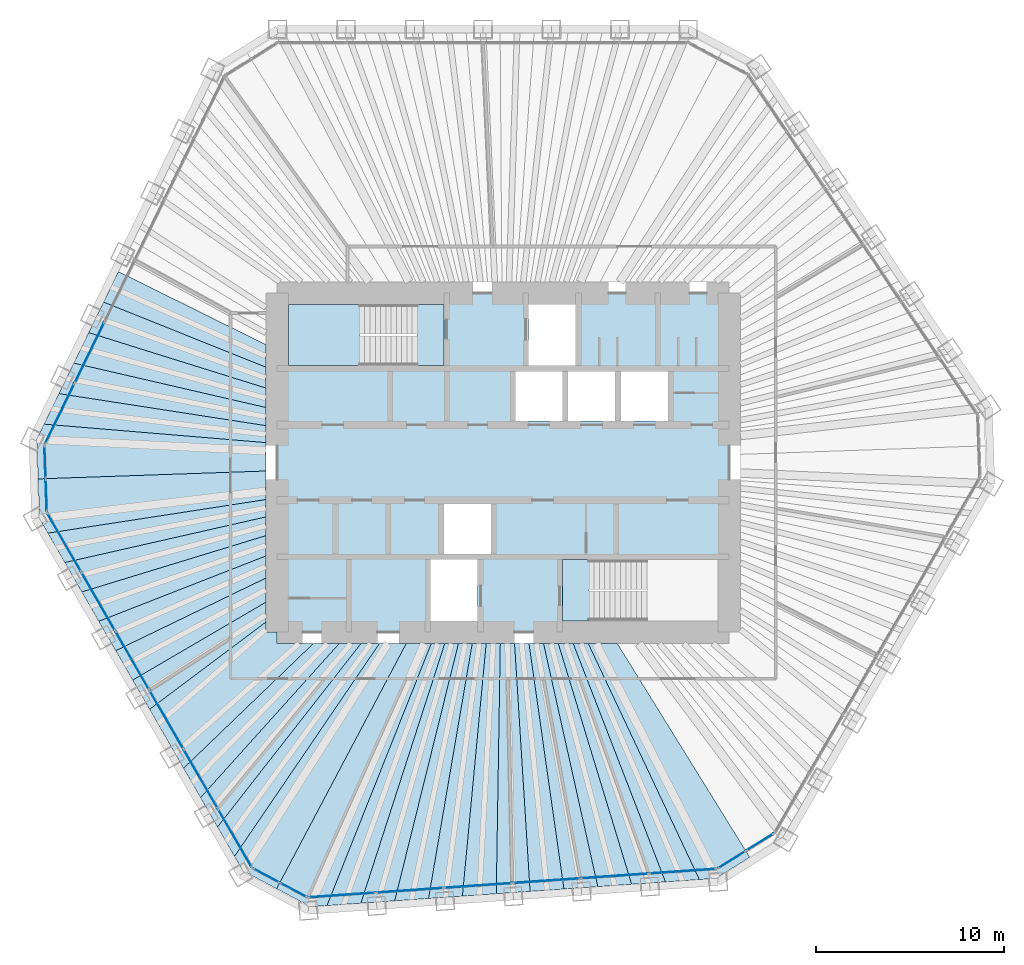
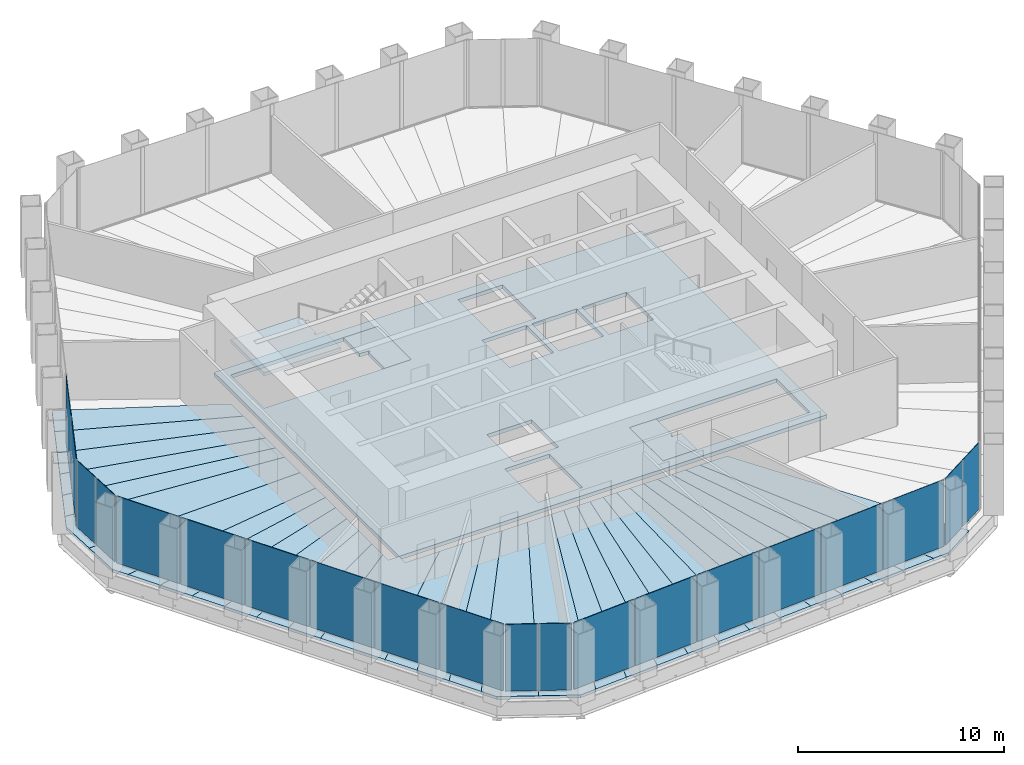
# One storey, part 8 of 13: 35 slabs, 20 plates, 8 elements without a shape of their own.
"""IFC4 building model written with IfcOpenShell, lengths in metres."""

from ifc_helpers import new_model, si_unit, direction, frame, origin, origin_2d, place, context, subcontext, project, spatial, polyline, rectangle, outline, extrude, material, layer, layer_set, type_object, element, aggregate, save


model = new_model("IFC4")

# Units and contexts
model_context = context("Model", 3, precision=1e-05, world=origin(), true_north=direction((0.0, 1.0)))
body_context = subcontext(model_context, "Body", "Model", "MODEL_VIEW")
ifc_project = project(units=[si_unit("LENGTHUNIT", "METRE"), si_unit("AREAUNIT", "SQUARE_METRE"), si_unit("VOLUMEUNIT", "CUBIC_METRE"), si_unit("PLANEANGLEUNIT", "RADIAN"), si_unit("MASSUNIT", "GRAM", prefix="KILO")], contexts=[model_context])

# Site, building, storey
site_placement = place(None, origin())
site = spatial("IfcSite", under=ifc_project, at=site_placement, CompositionType="ELEMENT")
building_placement = place(site_placement, origin())
building = spatial("IfcBuilding", under=site, at=building_placement, Name="Qingtian Harvest Tower", CompositionType="ELEMENT")
storey_placement = place(building_placement, frame((0.0, 0.0, 230.800048828125)))
storey = spatial("IfcBuildingStorey", under=building, at=storey_placement, Name="L50", CompositionType="ELEMENT", Elevation=230.800048828125)

# Slabs
ifc_material_1 = material(Name="Concrete fc' 35 MPa", Category="concrete")
ifc_layer_1 = layer(ifc_material_1, 0.169921875)
ifc_layer_set_1 = layer_set([ifc_layer_1], Name="Composite floor slab FS17 170")
slab_type_1 = type_object("IfcSlabType", Name="Composite floor slab FS17 170", PredefinedType="FLOOR", material=ifc_layer_set_1)
slab_1_placement = place(storey_placement, frame((0.0, 0.0, -0.170166015625)))
element("IfcSlab", 1, at=slab_1_placement, inside=storey, type_object=slab_type_1, Name="Floor slab L50 panel D01", PredefinedType="FLOOR", context=body_context, shape_type="SweptSolid", body=[
    extrude(outline(polyline([(-24.6865234375, -0.862060546875), (-12.60009765625, -0.443115234375), (-12.60009765625, -1.958984375), (-24.17236328125, -3.742431640625), (-24.612548828125, -2.979736328125), (-24.6865234375, -0.862060546875)])), origin(), (0.0, 0.0, 1.0), 0.170166015625),
])
slab_2_placement = place(storey_placement, frame((0.0, 0.0, -0.170166015625)))
element("IfcSlab", 2, at=slab_2_placement, inside=storey, type_object=slab_type_1, Name="Floor slab L50 panel D02", PredefinedType="FLOOR", context=body_context, shape_type="SweptSolid", body=[
    extrude(outline(polyline([(-12.60009765625, -2.880126953125), (-23.271484375, -5.302490234375), (-24.17236328125, -3.742431640625), (-12.60009765625, -1.958984375), (-12.60009765625, -2.880126953125)])), origin(), (0.0, 0.0, 1.0), 0.170166015625),
])
slab_3_placement = place(storey_placement, frame((0.0, 0.0, -0.170166015625)))
element("IfcSlab", 3, at=slab_3_placement, inside=storey, type_object=slab_type_1, Name="Floor slab L50 panel D03", PredefinedType="FLOOR", context=body_context, shape_type="SweptSolid", body=[
    extrude(outline(polyline([(-12.60009765625, -3.87548828125), (-22.370849609375, -6.862548828125), (-23.271484375, -5.302490234375), (-12.60009765625, -2.880126953125), (-12.60009765625, -3.87548828125)])), origin(), (0.0, 0.0, 1.0), 0.170166015625),
])
slab_4_placement = place(storey_placement, frame((0.0, 0.0, -0.170166015625)))
element("IfcSlab", 4, at=slab_4_placement, inside=storey, type_object=slab_type_1, Name="Floor slab L50 panel D04", PredefinedType="FLOOR", context=body_context, shape_type="SweptSolid", body=[
    extrude(outline(polyline([(-12.60009765625, -4.95458984375), (-21.47021484375, -8.422607421875), (-22.370849609375, -6.862548828125), (-12.60009765625, -3.87548828125), (-12.60009765625, -4.95458984375)])), origin(), (0.0, 0.0, 1.0), 0.170166015625),
])
slab_5_placement = place(storey_placement, frame((0.0, 0.0, -0.170166015625)))
element("IfcSlab", 5, at=slab_5_placement, inside=storey, type_object=slab_type_1, Name="Floor slab L50 panel D05", PredefinedType="FLOOR", context=body_context, shape_type="SweptSolid", body=[
    extrude(outline(polyline([(-12.60009765625, -6.128173828125), (-20.569580078125, -9.982666015625), (-21.47021484375, -8.422607421875), (-12.60009765625, -4.95458984375), (-12.60009765625, -6.128173828125)])), origin(), (0.0, 0.0, 1.0), 0.170166015625),
])
slab_6_placement = place(storey_placement, frame((0.0, 0.0, -0.170166015625)))
element("IfcSlab", 6, at=slab_6_placement, inside=storey, type_object=slab_type_1, Name="Floor slab L50 panel D06", PredefinedType="FLOOR", context=body_context, shape_type="SweptSolid", body=[
    extrude(outline(polyline([(-12.60009765625, -7.409423828125), (-19.668701171875, -11.542724609375), (-20.569580078125, -9.982666015625), (-12.60009765625, -6.128173828125), (-12.60009765625, -7.409423828125)])), origin(), (0.0, 0.0, 1.0), 0.170166015625),
])
slab_7_placement = place(storey_placement, frame((0.0, 0.0, -0.170166015625)))
element("IfcSlab", 7, at=slab_7_placement, inside=storey, type_object=slab_type_1, Name="Floor slab L50 panel D07", PredefinedType="FLOOR", context=body_context, shape_type="SweptSolid", body=[
    extrude(outline(polyline([(-12.60009765625, -8.46435546875), (-18.771728515625, -13.0966796875), (-19.668701171875, -11.542724609375), (-12.60009765625, -7.409423828125), (-12.60009765625, -8.46435546875)])), origin(), (0.0, 0.0, 1.0), 0.170166015625),
])
slab_8_placement = place(storey_placement, frame((0.0, 0.0, -0.170166015625)))
element("IfcSlab", 8, at=slab_8_placement, inside=storey, type_object=slab_type_1, Name="Floor slab L50 panel D09", PredefinedType="FLOOR", context=body_context, shape_type="SweptSolid", body=[
    extrude(outline(polyline([(-16.967041015625, -16.22216796875), (-18.771728515625, -13.0966796875), (-12.60009765625, -8.46435546875), (-12.60009765625, -9.0), (-12.0, -9.0), (-12.0, -9.60009765625), (-10.07666015625, -9.60009765625), (-16.967041015625, -16.22216796875)])), origin(), (0.0, 0.0, 1.0), 0.170166015625),
])
slab_9_placement = place(storey_placement, frame((0.0, 0.0, -0.170166015625)))
element("IfcSlab", 9, at=slab_9_placement, inside=storey, type_object=slab_type_1, Name="Floor slab L50 panel D10", PredefinedType="FLOOR", context=body_context, shape_type="SweptSolid", body=[
    extrude(outline(polyline([(-8.700927734375, -9.60009765625), (-16.06640625, -17.7822265625), (-16.967041015625, -16.22216796875), (-10.07666015625, -9.60009765625), (-8.700927734375, -9.60009765625)])), origin(), (0.0, 0.0, 1.0), 0.170166015625),
])
slab_10_placement = place(storey_placement, frame((0.0, 0.0, -0.170166015625)))
element("IfcSlab", 10, at=slab_10_placement, inside=storey, type_object=slab_type_1, Name="Floor slab L50 panel D11", PredefinedType="FLOOR", context=body_context, shape_type="SweptSolid", body=[
    extrude(outline(polyline([(-7.548095703125, -9.60009765625), (-15.16552734375, -19.34228515625), (-16.06640625, -17.7822265625), (-8.700927734375, -9.60009765625), (-7.548095703125, -9.60009765625)])), origin(), (0.0, 0.0, 1.0), 0.170166015625),
])
slab_11_placement = place(storey_placement, frame((0.0, 0.0, -0.170166015625)))
element("IfcSlab", 11, at=slab_11_placement, inside=storey, type_object=slab_type_1, Name="Floor slab L50 panel D12", PredefinedType="FLOOR", context=body_context, shape_type="SweptSolid", body=[
    extrude(outline(polyline([(-6.568359375, -9.60009765625), (-14.264892578125, -20.90234375), (-15.16552734375, -19.34228515625), (-7.548095703125, -9.60009765625), (-6.568359375, -9.60009765625)])), origin(), (0.0, 0.0, 1.0), 0.170166015625),
])
slab_12_placement = place(storey_placement, frame((0.0, 0.0, -0.170166015625)))
element("IfcSlab", 12, at=slab_12_placement, inside=storey, type_object=slab_type_1, Name="Floor slab L50 panel D13", PredefinedType="FLOOR", context=body_context, shape_type="SweptSolid", body=[
    extrude(outline(polyline([(-6.568359375, -9.60009765625), (-5.14501953125, -9.60009765625), (-12.028076171875, -22.620361328125), (-13.82470703125, -21.6650390625), (-14.264892578125, -20.90234375), (-6.568359375, -9.60009765625)])), origin(), (0.0, 0.0, 1.0), 0.170166015625),
])
slab_13_placement = place(storey_placement, frame((0.0, 0.0, -0.170166015625)))
element("IfcSlab", 13, at=slab_13_placement, inside=storey, type_object=slab_type_1, Name="Floor slab L50 panel D14", PredefinedType="FLOOR", context=body_context, shape_type="SweptSolid", body=[
    extrude(outline(polyline([(-5.14501953125, -9.60009765625), (-3.817138671875, -9.60009765625), (-9.352294921875, -23.5146484375), (-10.23046875, -23.576171875), (-12.028076171875, -22.620361328125), (-5.14501953125, -9.60009765625)])), origin(), (0.0, 0.0, 1.0), 0.170166015625),
])
slab_14_placement = place(storey_placement, frame((0.0, 0.0, -0.170166015625)))
element("IfcSlab", 14, at=slab_14_placement, inside=storey, type_object=slab_type_1, Name="Floor slab L50 panel D15", PredefinedType="FLOOR", context=body_context, shape_type="SweptSolid", body=[
    extrude(outline(polyline([(-3.10009765625, -9.60009765625), (-7.55517578125, -23.388916015625), (-9.352294921875, -23.5146484375), (-3.817138671875, -9.60009765625), (-3.10009765625, -9.60009765625)])), origin(), (0.0, 0.0, 1.0), 0.170166015625),
])
slab_15_placement = place(storey_placement, frame((0.0, 0.0, -0.170166015625)))
element("IfcSlab", 15, at=slab_15_placement, inside=storey, type_object=slab_type_1, Name="Floor slab L50 panel D16", PredefinedType="FLOOR", context=body_context, shape_type="SweptSolid", body=[
    extrude(outline(polyline([(-2.375244140625, -9.60009765625), (-5.75830078125, -23.263427734375), (-7.55517578125, -23.388916015625), (-3.10009765625, -9.60009765625), (-2.375244140625, -9.60009765625)])), origin(), (0.0, 0.0, 1.0), 0.170166015625),
])
slab_16_placement = place(storey_placement, frame((0.0, 0.0, -0.170166015625)))
element("IfcSlab", 16, at=slab_16_placement, inside=storey, type_object=slab_type_1, Name="Floor slab L50 panel D17", PredefinedType="FLOOR", context=body_context, shape_type="SweptSolid", body=[
    extrude(outline(polyline([(-1.642578125, -9.60009765625), (-3.96142578125, -23.1376953125), (-5.75830078125, -23.263427734375), (-2.375244140625, -9.60009765625), (-1.642578125, -9.60009765625)])), origin(), (0.0, 0.0, 1.0), 0.170166015625),
])
slab_17_placement = place(storey_placement, frame((0.0, 0.0, -0.170166015625)))
element("IfcSlab", 17, at=slab_17_placement, inside=storey, type_object=slab_type_1, Name="Floor slab L50 panel D18", PredefinedType="FLOOR", context=body_context, shape_type="SweptSolid", body=[
    extrude(outline(polyline([(-0.90185546875, -9.60009765625), (-2.164306640625, -23.011962890625), (-3.96142578125, -23.1376953125), (-1.642578125, -9.60009765625), (-0.90185546875, -9.60009765625)])), origin(), (0.0, 0.0, 1.0), 0.170166015625),
])
slab_18_placement = place(storey_placement, frame((0.0, 0.0, -0.170166015625)))
element("IfcSlab", 18, at=slab_18_placement, inside=storey, type_object=slab_type_1, Name="Floor slab L50 panel D19", PredefinedType="FLOOR", context=body_context, shape_type="SweptSolid", body=[
    extrude(outline(polyline([(-0.153076171875, -9.60009765625), (-0.367431640625, -22.886474609375), (-2.164306640625, -23.011962890625), (-0.90185546875, -9.60009765625), (-0.153076171875, -9.60009765625)])), origin(), (0.0, 0.0, 1.0), 0.170166015625),
])
slab_19_placement = place(storey_placement, frame((0.0, 0.0, -0.170166015625)))
element("IfcSlab", 19, at=slab_19_placement, inside=storey, type_object=slab_type_1, Name="Floor slab L50 panel D20", PredefinedType="FLOOR", context=body_context, shape_type="SweptSolid", body=[
    extrude(outline(polyline([(0.60400390625, -9.60009765625), (1.4296875, -22.7607421875), (-0.367431640625, -22.886474609375), (-0.153076171875, -9.60009765625), (0.60400390625, -9.60009765625)])), origin(), (0.0, 0.0, 1.0), 0.170166015625),
])
slab_20_placement = place(storey_placement, frame((0.0, 0.0, -0.170166015625)))
element("IfcSlab", 20, at=slab_20_placement, inside=storey, type_object=slab_type_1, Name="Floor slab L50 panel D21", PredefinedType="FLOOR", context=body_context, shape_type="SweptSolid", body=[
    extrude(outline(polyline([(1.36962890625, -9.60009765625), (3.2265625, -22.635009765625), (1.4296875, -22.7607421875), (0.60400390625, -9.60009765625), (1.36962890625, -9.60009765625)])), origin(), (0.0, 0.0, 1.0), 0.170166015625),
])
slab_21_placement = place(storey_placement, frame((0.0, 0.0, -0.170166015625)))
element("IfcSlab", 21, at=slab_21_placement, inside=storey, type_object=slab_type_1, Name="Floor slab L50 panel D22", PredefinedType="FLOOR", context=body_context, shape_type="SweptSolid", body=[
    extrude(outline(polyline([(2.1435546875, -9.60009765625), (5.023681640625, -22.509521484375), (3.2265625, -22.635009765625), (1.36962890625, -9.60009765625), (2.1435546875, -9.60009765625)])), origin(), (0.0, 0.0, 1.0), 0.170166015625),
])
slab_22_placement = place(storey_placement, frame((0.0, 0.0, -0.170166015625)))
element("IfcSlab", 22, at=slab_22_placement, inside=storey, type_object=slab_type_1, Name="Floor slab L50 panel D23", PredefinedType="FLOOR", context=body_context, shape_type="SweptSolid", body=[
    extrude(outline(polyline([(2.92626953125, -9.60009765625), (6.820556640625, -22.3837890625), (5.023681640625, -22.509521484375), (2.1435546875, -9.60009765625), (2.92626953125, -9.60009765625)])), origin(), (0.0, 0.0, 1.0), 0.170166015625),
])
slab_23_placement = place(storey_placement, frame((0.0, 0.0, -0.170166015625)))
element("IfcSlab", 23, at=slab_23_placement, inside=storey, type_object=slab_type_1, Name="Floor slab L50 panel D24", PredefinedType="FLOOR", context=body_context, shape_type="SweptSolid", body=[
    extrude(outline(polyline([(3.718017578125, -9.60009765625), (8.61767578125, -22.258056640625), (6.820556640625, -22.3837890625), (2.92626953125, -9.60009765625), (3.718017578125, -9.60009765625)])), origin(), (0.0, 0.0, 1.0), 0.170166015625),
])
slab_24_placement = place(storey_placement, frame((0.0, 0.0, -0.170166015625)))
element("IfcSlab", 24, at=slab_24_placement, inside=storey, type_object=slab_type_1, Name="Floor slab L50 panel D25", PredefinedType="FLOOR", context=body_context, shape_type="SweptSolid", body=[
    extrude(outline(polyline([(4.5185546875, -9.60009765625), (10.41455078125, -22.13232421875), (8.61767578125, -22.258056640625), (3.718017578125, -9.60009765625), (4.5185546875, -9.60009765625)])), origin(), (0.0, 0.0, 1.0), 0.170166015625),
])
slab_25_placement = place(storey_placement, frame((0.0, 0.0, -0.170166015625)))
element("IfcSlab", 25, at=slab_25_placement, inside=storey, type_object=slab_type_1, Name="Floor slab L50 panel D26", PredefinedType="FLOOR", context=body_context, shape_type="SweptSolid", body=[
    extrude(outline(polyline([(4.5185546875, -9.60009765625), (6.059326171875, -9.60009765625), (13.090576171875, -20.94775390625), (11.292724609375, -22.071044921875), (10.41455078125, -22.13232421875), (4.5185546875, -9.60009765625)])), origin(), (0.0, 0.0, 1.0), 0.170166015625),
])
slab_26_placement = place(storey_placement, frame((0.0, 0.0, -0.170166015625)))
element("IfcSlab", 26, at=slab_26_placement, inside=storey, type_object=slab_type_1, Name="Floor slab L50 panel D73", PredefinedType="FLOOR", context=body_context, shape_type="SweptSolid", body=[
    extrude(outline(polyline([(-12.60009765625, 5.072509765625), (-21.2158203125, 8.5234375), (-20.426025390625, 10.142578125), (-12.60009765625, 6.268310546875), (-12.60009765625, 5.072509765625)])), origin(), (0.0, 0.0, 1.0), 0.170166015625),
])
slab_27_placement = place(storey_placement, frame((0.0, 0.0, -0.170166015625)))
element("IfcSlab", 27, at=slab_27_placement, inside=storey, type_object=slab_type_1, Name="Floor slab L50 panel D74", PredefinedType="FLOOR", context=body_context, shape_type="SweptSolid", body=[
    extrude(outline(polyline([(-12.60009765625, 3.962890625), (-22.00537109375, 6.904296875), (-21.2158203125, 8.5234375), (-12.60009765625, 5.072509765625), (-12.60009765625, 3.962890625)])), origin(), (0.0, 0.0, 1.0), 0.170166015625),
])
slab_28_placement = place(storey_placement, frame((0.0, 0.0, -0.170166015625)))
element("IfcSlab", 28, at=slab_28_placement, inside=storey, type_object=slab_type_1, Name="Floor slab L50 panel D75", PredefinedType="FLOOR", context=body_context, shape_type="SweptSolid", body=[
    extrude(outline(polyline([(-12.60009765625, 2.929931640625), (-22.795166015625, 5.28515625), (-22.00537109375, 6.904296875), (-12.60009765625, 3.962890625), (-12.60009765625, 2.929931640625)])), origin(), (0.0, 0.0, 1.0), 0.170166015625),
])
slab_29_placement = place(storey_placement, frame((0.0, 0.0, -0.170166015625)))
element("IfcSlab", 29, at=slab_29_placement, inside=storey, type_object=slab_type_1, Name="Floor slab L50 panel D76", PredefinedType="FLOOR", context=body_context, shape_type="SweptSolid", body=[
    extrude(outline(polyline([(-12.60009765625, 1.96630859375), (-23.584716796875, 3.666259765625), (-22.795166015625, 5.28515625), (-12.60009765625, 2.929931640625), (-12.60009765625, 1.96630859375)])), origin(), (0.0, 0.0, 1.0), 0.170166015625),
])
slab_30_placement = place(storey_placement, frame((0.0, 0.0, -0.170166015625)))
element("IfcSlab", 30, at=slab_30_placement, inside=storey, type_object=slab_type_1, Name="Floor slab L50 panel D77", PredefinedType="FLOOR", context=body_context, shape_type="SweptSolid", body=[
    extrude(outline(polyline([(-12.60009765625, 1.065185546875), (-24.37451171875, 2.047119140625), (-23.584716796875, 3.666259765625), (-12.60009765625, 1.96630859375), (-12.60009765625, 1.065185546875)])), origin(), (0.0, 0.0, 1.0), 0.170166015625),
])
slab_31_placement = place(storey_placement, frame((0.0, 0.0, -0.170166015625)))
element("IfcSlab", 31, at=slab_31_placement, inside=storey, type_object=slab_type_1, Name="Floor slab L50 panel D78", PredefinedType="FLOOR", context=body_context, shape_type="SweptSolid", body=[
    extrude(outline(polyline([(-12.60009765625, 1.065185546875), (-12.60009765625, -0.443115234375), (-24.6865234375, -0.862060546875), (-24.760498046875, 1.255615234375), (-24.37451171875, 2.047119140625), (-12.60009765625, 1.065185546875)])), origin(), (0.0, 0.0, 1.0), 0.170166015625),
])
ifc_material_2 = material(Name="Concrete fc' 35 MPa", Category="concrete")
ifc_layer_2 = layer(ifc_material_2, 0.219970703125)
ifc_layer_set_2 = layer_set([ifc_layer_2], Name="Core floor slab CS22 220")
slab_type_2 = type_object("IfcSlabType", Name="Core floor slab CS22 220", PredefinedType="FLOOR", material=ifc_layer_set_2)
slab_32_placement = place(storey_placement, frame((0.0, 0.0, -0.219970703125)))
element("IfcSlab", 32, at=slab_32_placement, inside=storey, type_object=slab_type_2, Name="Core floor slab L50", PredefinedType="FLOOR", context=body_context, shape_type="SweptSolid", body=[
    extrude(outline(polyline([(-12.0, -9.0), (12.0, -9.0), (12.0, 9.0), (-12.0, 9.0), (-12.0, -9.0)]), holes=[polyline([(-11.39990234375, 5.14990234375), (-3.14990234375, 5.14990234375), (-3.14990234375, 8.39990234375), (-11.39990234375, 8.39990234375), (-11.39990234375, 5.14990234375)]), polyline([(3.14990234375, -8.39990234375), (11.39990234375, -8.39990234375), (11.39990234375, -5.14990234375), (3.14990234375, -5.14990234375), (3.14990234375, -8.39990234375)]), polyline([(1.35009765625, 5.14990234375), (3.85009765625, 5.14990234375), (3.85009765625, 8.39990234375), (1.35009765625, 8.39990234375), (1.35009765625, 5.14990234375)]), polyline([(-3.85009765625, -8.39990234375), (-1.35009765625, -8.39990234375), (-1.35009765625, -5.14990234375), (-3.85009765625, -5.14990234375), (-3.85009765625, -8.39990234375)]), polyline([(0.64990234375, 2.199951171875), (3.14990234375, 2.199951171875), (3.14990234375, 4.85009765625), (0.64990234375, 4.85009765625), (0.64990234375, 2.199951171875)]), polyline([(3.449951171875, 2.199951171875), (5.949951171875, 2.199951171875), (5.949951171875, 4.85009765625), (3.449951171875, 4.85009765625), (3.449951171875, 2.199951171875)]), polyline([(6.25, 2.199951171875), (8.75, 2.199951171875), (8.75, 4.85009765625), (6.25, 4.85009765625), (6.25, 2.199951171875)]), polyline([(-3.14990234375, -4.85009765625), (-0.64990234375, -4.85009765625), (-0.64990234375, -2.199951171875), (-3.14990234375, -2.199951171875), (-3.14990234375, -4.85009765625)])]), origin(), (0.0, 0.0, 1.0), 0.219970703125),
])

# Curtain wall, plates
ifc_material_3 = material(Name="Bronze-anodised aluminium curtain wall", Category="aluminium")
curtain_wall_type = type_object("IfcCurtainWallType", Name="Curtain wall CW4 office", PredefinedType="USERDEFINED", material=ifc_material_3)
curtain_wall_1_placement = place(storey_placement, origin())
curtain_wall_1 = element("IfcCurtainWall", 33, at=curtain_wall_1_placement, inside=storey, type_object=curtain_wall_type, Name="Curtain wall CW4 L50 SEC", ObjectType="RECESSED CURTAIN WALL", PredefinedType="USERDEFINED")
ifc_material_4 = material(Name="Bronze-tinted laminated insulating glass", Category="glass")
ifc_layer_3 = layer(ifc_material_4, 0.030029296875)
ifc_layer_set_3 = layer_set([ifc_layer_3], Name="Glazed panel CWP tinted IGU")
plate_type = type_object("IfcPlateType", Name="Glazed panel CWP tinted IGU", PredefinedType="CURTAIN_PANEL", material=ifc_layer_set_3)
plate_1_placement = place(storey_placement, frame((13.624755859375, -20.1455078125, 0.06494140625), z_axis=(0.0, 0.0, 1.0), x_axis=(-0.848048096156, -0.529919264233, 0.0)))
plate_1 = element("IfcPlate", 34, at=plate_1_placement, type_object=plate_type, Name="CW4 panel 1.1", PredefinedType="CURTAIN_PANEL", context=body_context, shape_type="SweptSolid", body=[
    extrude(rectangle(XDim=1.69287109375, YDim=0.030029296875, at=origin_2d()), origin(), (0.0, 0.0, 1.0), 3.965087890625),
])
plate_2_placement = place(storey_placement, frame((12.134033203125, -21.076904296875, 0.06494140625), z_axis=(0.0, 0.0, 1.0), x_axis=(-0.848048096156, -0.529919264233, 0.0)))
plate_2 = element("IfcPlate", 35, at=plate_2_placement, type_object=plate_type, Name="CW4 panel 2.1", PredefinedType="CURTAIN_PANEL", context=body_context, shape_type="SweptSolid", body=[
    extrude(rectangle(XDim=1.69287109375, YDim=0.030029296875, at=origin_2d()), origin(), (0.0, 0.0, 1.0), 3.965087890625),
])
aggregate(curtain_wall_1, [plate_1, plate_2])

curtain_wall_2_placement = place(storey_placement, origin())
curtain_wall_2 = element("IfcCurtainWall", 36, at=curtain_wall_2_placement, inside=storey, type_object=curtain_wall_type, Name="Curtain wall CW4 L50 S0-5", ObjectType="RECESSED CURTAIN WALL", PredefinedType="USERDEFINED")
plate_3_placement = place(storey_placement, frame((9.532470703125, -21.68798828125, 0.06494140625), z_axis=(0.0, 0.0, 1.0), x_axis=(-0.99756405026, -0.069756473744, 0.0)))
plate_3 = element("IfcPlate", 37, at=plate_3_placement, type_object=plate_type, Name="CW4 panel 1.1", PredefinedType="CURTAIN_PANEL", context=body_context, shape_type="SweptSolid", body=[
    extrude(rectangle(XDim=3.5361328125, YDim=0.030029296875, at=origin_2d()), origin(), (0.0, 0.0, 1.0), 3.965087890625),
])
plate_4_placement = place(storey_placement, frame((5.923828125, -21.940185546875, 0.06494140625), z_axis=(0.0, 0.0, 1.0), x_axis=(-0.99756405026, -0.069756473744, 0.0)))
plate_4 = element("IfcPlate", 38, at=plate_4_placement, type_object=plate_type, Name="CW4 panel 2.1", PredefinedType="CURTAIN_PANEL", context=body_context, shape_type="SweptSolid", body=[
    extrude(rectangle(XDim=3.568603515625, YDim=0.030029296875, at=origin_2d()), origin(), (0.0, 0.0, 1.0), 3.965087890625),
])
plate_5_placement = place(storey_placement, frame((2.299072265625, -22.193603515625, 0.06494140625), z_axis=(0.0, 0.0, 1.0), x_axis=(-0.99756405026, -0.069756473744, 0.0)))
plate_5 = element("IfcPlate", 39, at=plate_5_placement, type_object=plate_type, Name="CW4 panel 3.1", PredefinedType="CURTAIN_PANEL", context=body_context, shape_type="SweptSolid", body=[
    extrude(rectangle(XDim=3.568603515625, YDim=0.030029296875, at=origin_2d()), origin(), (0.0, 0.0, 1.0), 3.965087890625),
])
plate_6_placement = place(storey_placement, frame((-1.325439453125, -22.447021484375, 0.06494140625), z_axis=(0.0, 0.0, 1.0), x_axis=(-0.99756405026, -0.069756473744, 0.0)))
plate_6 = element("IfcPlate", 40, at=plate_6_placement, type_object=plate_type, Name="CW4 panel 4.1", PredefinedType="CURTAIN_PANEL", context=body_context, shape_type="SweptSolid", body=[
    extrude(rectangle(XDim=3.568603515625, YDim=0.030029296875, at=origin_2d()), origin(), (0.0, 0.0, 1.0), 3.965087890625),
])
plate_7_placement = place(storey_placement, frame((-4.9501953125, -22.70068359375, 0.06494140625), z_axis=(0.0, 0.0, 1.0), x_axis=(-0.99756405026, -0.069756473744, 0.0)))
plate_7 = element("IfcPlate", 41, at=plate_7_placement, type_object=plate_type, Name="CW4 panel 5.1", PredefinedType="CURTAIN_PANEL", context=body_context, shape_type="SweptSolid", body=[
    extrude(rectangle(XDim=3.568603515625, YDim=0.030029296875, at=origin_2d()), origin(), (0.0, 0.0, 1.0), 3.965087890625),
])
plate_8_placement = place(storey_placement, frame((-8.55859375, -22.952880859375, 0.06494140625), z_axis=(0.0, 0.0, 1.0), x_axis=(-0.99756405026, -0.069756473744, 0.0)))
plate_8 = element("IfcPlate", 42, at=plate_8_placement, type_object=plate_type, Name="CW4 panel 6.1", PredefinedType="CURTAIN_PANEL", context=body_context, shape_type="SweptSolid", body=[
    extrude(rectangle(XDim=3.5361328125, YDim=0.030029296875, at=origin_2d()), origin(), (0.0, 0.0, 1.0), 3.965087890625),
])
aggregate(curtain_wall_2, [plate_3, plate_4, plate_5, plate_6, plate_7, plate_8])

curtain_wall_3_placement = place(storey_placement, origin())
curtain_wall_3 = element("IfcCurtainWall", 43, at=curtain_wall_3_placement, inside=storey, type_object=curtain_wall_type, Name="Curtain wall CW4 L50 SC", ObjectType="RECESSED CURTAIN WALL", PredefinedType="USERDEFINED")
plate_9_placement = place(storey_placement, frame((-11.136474609375, -22.682373046875, 0.06494140625), z_axis=(0.0, 0.0, 1.0), x_axis=(-0.882947592859, 0.469471562786, 0.0)))
plate_9 = element("IfcPlate", 44, at=plate_9_placement, type_object=plate_type, Name="CW4 panel 1.1", PredefinedType="CURTAIN_PANEL", context=body_context, shape_type="SweptSolid", body=[
    extrude(rectangle(XDim=1.56689453125, YDim=0.030029296875, at=origin_2d()), origin(), (0.0, 0.0, 1.0), 3.965087890625),
])
plate_10_placement = place(storey_placement, frame((-12.5771484375, -21.916259765625, 0.06494140625), z_axis=(0.0, 0.0, 1.0), x_axis=(-0.882947592859, 0.469471562786, 0.0)))
plate_10 = element("IfcPlate", 45, at=plate_10_placement, type_object=plate_type, Name="CW4 panel 2.1", PredefinedType="CURTAIN_PANEL", context=body_context, shape_type="SweptSolid", body=[
    extrude(rectangle(XDim=1.56689453125, YDim=0.030029296875, at=origin_2d()), origin(), (0.0, 0.0, 1.0), 3.965087890625),
])
aggregate(curtain_wall_3, [plate_9, plate_10])

curtain_wall_4_placement = place(storey_placement, origin())
curtain_wall_4 = element("IfcCurtainWall", 46, at=curtain_wall_4_placement, inside=storey, type_object=curtain_wall_type, Name="Curtain wall CW4 L50 SW0-5", ObjectType="RECESSED CURTAIN WALL", PredefinedType="USERDEFINED")
plate_11_placement = place(storey_placement, frame((-14.242919921875, -19.9306640625, 0.06494140625), z_axis=(0.0, 0.0, 1.0), x_axis=(-0.5, 0.866025403784, 0.0)))
plate_11 = element("IfcPlate", 47, at=plate_11_placement, type_object=plate_type, Name="CW4 panel 1.1", PredefinedType="CURTAIN_PANEL", context=body_context, shape_type="SweptSolid", body=[
    extrude(rectangle(XDim=3.5361328125, YDim=0.030029296875, at=origin_2d()), origin(), (0.0, 0.0, 1.0), 3.965087890625),
])
plate_12_placement = place(storey_placement, frame((-16.051513671875, -16.7978515625, 0.06494140625), z_axis=(0.0, 0.0, 1.0), x_axis=(-0.5, 0.866025403784, 0.0)))
plate_12 = element("IfcPlate", 48, at=plate_12_placement, type_object=plate_type, Name="CW4 panel 2.1", PredefinedType="CURTAIN_PANEL", context=body_context, shape_type="SweptSolid", body=[
    extrude(rectangle(XDim=3.568603515625, YDim=0.030029296875, at=origin_2d()), origin(), (0.0, 0.0, 1.0), 3.965087890625),
])
plate_13_placement = place(storey_placement, frame((-17.868408203125, -13.651123046875, 0.06494140625), z_axis=(0.0, 0.0, 1.0), x_axis=(-0.5, 0.866025403784, 0.0)))
plate_13 = element("IfcPlate", 49, at=plate_13_placement, type_object=plate_type, Name="CW4 panel 3.1", PredefinedType="CURTAIN_PANEL", context=body_context, shape_type="SweptSolid", body=[
    extrude(rectangle(XDim=3.568603515625, YDim=0.030029296875, at=origin_2d()), origin(), (0.0, 0.0, 1.0), 3.965087890625),
])
plate_14_placement = place(storey_placement, frame((-19.68505859375, -10.50439453125, 0.06494140625), z_axis=(0.0, 0.0, 1.0), x_axis=(-0.5, 0.866025403784, 0.0)))
plate_14 = element("IfcPlate", 50, at=plate_14_placement, type_object=plate_type, Name="CW4 panel 4.1", PredefinedType="CURTAIN_PANEL", context=body_context, shape_type="SweptSolid", body=[
    extrude(rectangle(XDim=3.568603515625, YDim=0.030029296875, at=origin_2d()), origin(), (0.0, 0.0, 1.0), 3.965087890625),
])
plate_15_placement = place(storey_placement, frame((-21.501953125, -7.357666015625, 0.06494140625), z_axis=(0.0, 0.0, 1.0), x_axis=(-0.5, 0.866025403784, 0.0)))
plate_15 = element("IfcPlate", 51, at=plate_15_placement, type_object=plate_type, Name="CW4 panel 5.1", PredefinedType="CURTAIN_PANEL", context=body_context, shape_type="SweptSolid", body=[
    extrude(rectangle(XDim=3.568603515625, YDim=0.030029296875, at=origin_2d()), origin(), (0.0, 0.0, 1.0), 3.965087890625),
])
plate_16_placement = place(storey_placement, frame((-23.310546875, -4.22509765625, 0.06494140625), z_axis=(0.0, 0.0, 1.0), x_axis=(-0.5, 0.866025403784, 0.0)))
plate_16 = element("IfcPlate", 52, at=plate_16_placement, type_object=plate_type, Name="CW4 panel 6.1", PredefinedType="CURTAIN_PANEL", context=body_context, shape_type="SweptSolid", body=[
    extrude(rectangle(XDim=3.5361328125, YDim=0.030029296875, at=origin_2d()), origin(), (0.0, 0.0, 1.0), 3.965087890625),
])
aggregate(curtain_wall_4, [plate_11, plate_12, plate_13, plate_14, plate_15, plate_16])

curtain_wall_5_placement = place(storey_placement, origin())
curtain_wall_5 = element("IfcCurtainWall", 53, at=curtain_wall_5_placement, inside=storey, type_object=curtain_wall_type, Name="Curtain wall CW4 L50 SWC", ObjectType="RECESSED CURTAIN WALL", PredefinedType="USERDEFINED")
plate_17_placement = place(storey_placement, frame((-24.2587890625, -1.7265625, 0.06494140625), z_axis=(0.0, 0.0, 1.0), x_axis=(-0.034899496703, 0.999390827019, 0.0)))
plate_17 = element("IfcPlate", 54, at=plate_17_placement, type_object=plate_type, Name="CW4 panel 1.1", PredefinedType="CURTAIN_PANEL", context=body_context, shape_type="SweptSolid", body=[
    extrude(rectangle(XDim=1.69287109375, YDim=0.030029296875, at=origin_2d()), origin(), (0.0, 0.0, 1.0), 3.965087890625),
])
plate_18_placement = place(storey_placement, frame((-24.320068359375, 0.0302734375, 0.06494140625), z_axis=(0.0, 0.0, 1.0), x_axis=(-0.034899496703, 0.999390827019, 0.0)))
plate_18 = element("IfcPlate", 55, at=plate_18_placement, type_object=plate_type, Name="CW4 panel 2.1", PredefinedType="CURTAIN_PANEL", context=body_context, shape_type="SweptSolid", body=[
    extrude(rectangle(XDim=1.69287109375, YDim=0.030029296875, at=origin_2d()), origin(), (0.0, 0.0, 1.0), 3.965087890625),
])
aggregate(curtain_wall_5, [plate_17, plate_18])

curtain_wall_6_placement = place(storey_placement, origin())
curtain_wall_6 = element("IfcCurtainWall", 56, at=curtain_wall_6_placement, inside=storey, type_object=curtain_wall_type, Name="Curtain wall CW4 L50 NW0-5", ObjectType="RECESSED CURTAIN WALL", PredefinedType="USERDEFINED")
plate_19_placement = place(storey_placement, frame((-23.54833984375, 2.588623046875, 0.06494140625), z_axis=(0.0, 0.0, 1.0), x_axis=(0.438371146789, 0.898794046299, 0.0)))
plate_19 = element("IfcPlate", 57, at=plate_19_placement, type_object=plate_type, Name="CW4 panel 1.1", PredefinedType="CURTAIN_PANEL", context=body_context, shape_type="SweptSolid", body=[
    extrude(rectangle(XDim=3.5361328125, YDim=0.030029296875, at=origin_2d()), origin(), (0.0, 0.0, 1.0), 3.965087890625),
])
plate_20_placement = place(storey_placement, frame((-21.962646484375, 5.83984375, 0.06494140625), z_axis=(0.0, 0.0, 1.0), x_axis=(0.438371146789, 0.898794046299, 0.0)))
plate_20 = element("IfcPlate", 58, at=plate_20_placement, type_object=plate_type, Name="CW4 panel 2.1", PredefinedType="CURTAIN_PANEL", context=body_context, shape_type="SweptSolid", body=[
    extrude(rectangle(XDim=3.568603515625, YDim=0.030029296875, at=origin_2d()), origin(), (0.0, 0.0, 1.0), 3.965087890625),
])
aggregate(curtain_wall_6, [plate_19, plate_20])

# Stair, slabs
ifc_material_5 = material(Name="Concrete fc' 35 MPa", Category="concrete")
stair_type = type_object("IfcStairType", Name="Special stair ST4 4200", PredefinedType="HALF_TURN_STAIR", material=ifc_material_5)
stair_1_placement = place(storey_placement, origin())
stair_1 = element("IfcStair", 59, at=stair_1_placement, inside=storey, type_object=stair_type, Name="Special stair S1 L50", PredefinedType="HALF_TURN_STAIR")
ifc_material_6 = material(Name="Concrete fc' 35 MPa", Category="concrete")
ifc_layer_4 = layer(ifc_material_6, 0.199951171875)
ifc_layer_set_4 = layer_set([ifc_layer_4], Name="Stair landing SL2 200")
slab_type_3 = type_object("IfcSlabType", Name="Stair landing SL2 200", PredefinedType="LANDING", material=ifc_layer_set_4)
slab_33_placement = place(storey_placement, frame((0.0, 0.0, -0.199951171875)))
slab_33 = element("IfcSlab", 60, at=slab_33_placement, type_object=slab_type_3, Name="S1 landing 1", PredefinedType="LANDING", context=body_context, shape_type="SweptSolid", body=[
    extrude(outline(polyline([(-4.64990234375, 5.14990234375), (-4.64990234375, 6.72509765625), (-4.550048828125, 6.72509765625), (-4.550048828125, 6.824951171875), (-5.0849609375, 6.824951171875), (-5.0849609375, 8.39990234375), (-3.14990234375, 8.39990234375), (-3.14990234375, 5.14990234375), (-4.64990234375, 5.14990234375)])), origin(), (0.0, 0.0, 1.0), 0.199951171875),
])
slab_34_placement = place(storey_placement, frame((0.0, 0.0, 1.89990234375)))
slab_34 = element("IfcSlab", 61, at=slab_34_placement, type_object=slab_type_3, Name="S1 landing 2", PredefinedType="LANDING", context=body_context, shape_type="SweptSolid", body=[
    extrude(outline(polyline([(-7.094970703125, 5.14990234375), (-11.39990234375, 5.14990234375), (-11.39990234375, 8.39990234375), (-7.530029296875, 8.39990234375), (-7.530029296875, 6.824951171875), (-7.6298828125, 6.824951171875), (-7.6298828125, 6.72509765625), (-7.094970703125, 6.72509765625), (-7.094970703125, 5.14990234375)])), origin(), (0.0, 0.0, 1.0), 0.199951171875),
])
aggregate(stair_1, [slab_33, slab_34])

# Stair, slab
stair_2_placement = place(storey_placement, origin())
stair_2 = element("IfcStair", 62, at=stair_2_placement, inside=storey, type_object=stair_type, Name="Special stair S2 L50", PredefinedType="HALF_TURN_STAIR")
slab_35_placement = place(storey_placement, frame((0.0, 0.0, -0.199951171875)))
slab_35 = element("IfcSlab", 63, at=slab_35_placement, type_object=slab_type_3, Name="S2 landing 1", PredefinedType="LANDING", context=body_context, shape_type="SweptSolid", body=[
    extrude(outline(polyline([(5.0849609375, -8.39990234375), (3.14990234375, -8.39990234375), (3.14990234375, -5.14990234375), (4.64990234375, -5.14990234375), (4.64990234375, -6.72509765625), (4.550048828125, -6.72509765625), (4.550048828125, -6.824951171875), (5.0849609375, -6.824951171875), (5.0849609375, -8.39990234375)])), origin(), (0.0, 0.0, 1.0), 0.199951171875),
])
aggregate(stair_2, [slab_35])

save(model, "model.ifc")
